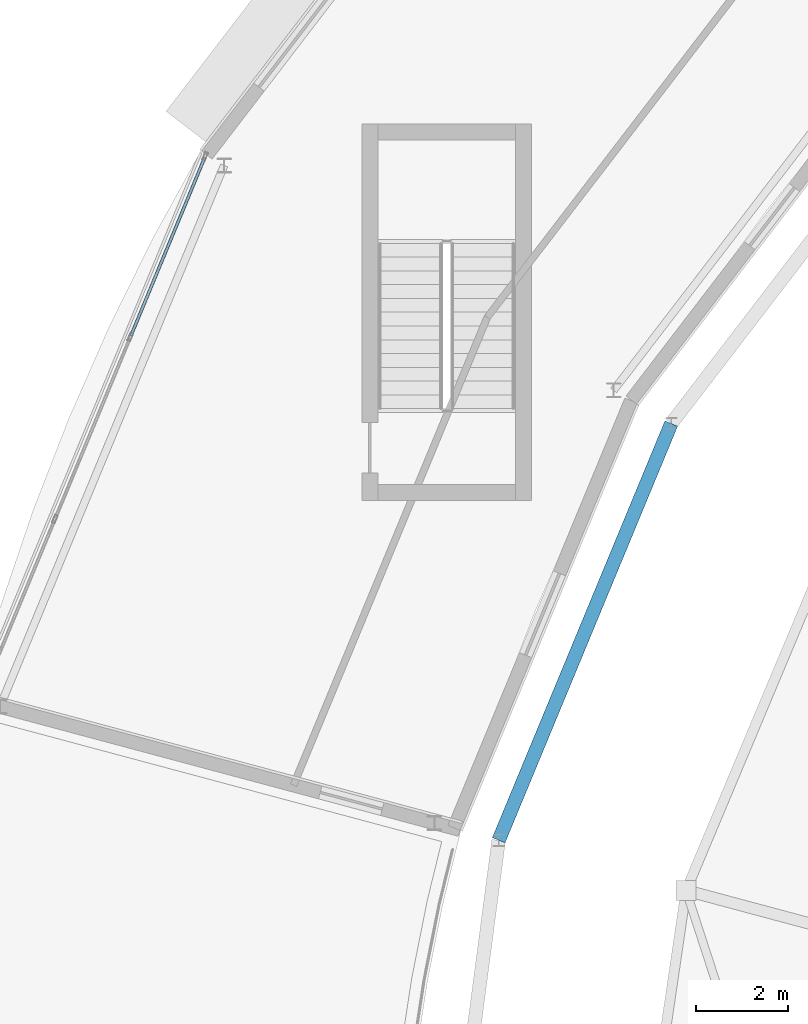
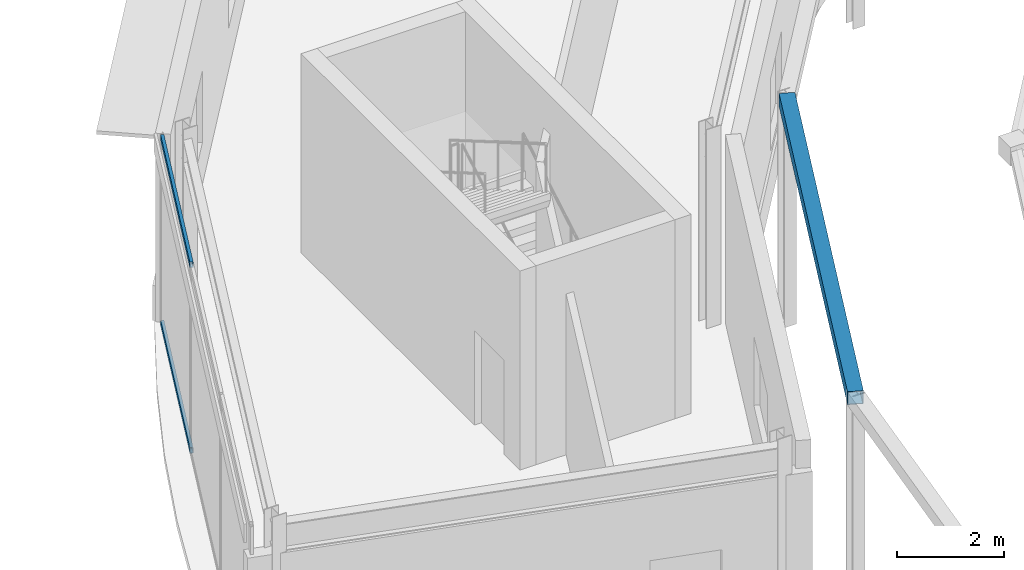
# One storey, part 27 of 89: 2 members, 1 beam, 1 element without a shape of its own.
"""IFC4 building model written with IfcOpenShell, lengths in metres."""

from ifc_helpers import new_model, si_unit, direction, frame, origin, origin_2d, place, context, subcontext, project, spatial, hollow_rectangle, extrude, material, material_profile, profile_set, type_object, element, aggregate, save


model = new_model("IFC4")

# Units and contexts
model_context = context("Model", 3, precision=1e-05, world=origin(), true_north=direction((0.0, 1.0)))
body_context = subcontext(model_context, "Body", "Model", "MODEL_VIEW")
ifc_project = project(units=[si_unit("LENGTHUNIT", "METRE"), si_unit("AREAUNIT", "SQUARE_METRE"), si_unit("VOLUMEUNIT", "CUBIC_METRE"), si_unit("PLANEANGLEUNIT", "RADIAN"), si_unit("MASSUNIT", "GRAM", prefix="KILO")], contexts=[model_context])

# Site, building, storey
site_placement = place(None, origin())
site = spatial("IfcSite", under=ifc_project, at=site_placement, CompositionType="ELEMENT")
building_placement = place(site_placement, origin())
building = spatial("IfcBuilding", under=site, at=building_placement, Name="Almandine Court Research Institute", CompositionType="ELEMENT")
storey_placement = place(building_placement, frame((0.0, 0.0, 18.89990234375)))
storey = spatial("IfcBuildingStorey", under=building, at=storey_placement, Name="L04", CompositionType="ELEMENT", Elevation=18.89990234375)

# Beam
ifc_material_1 = material(Name="Steel ASTM A500 Grade C", Category="steel")
ifc_material_profile_1 = material_profile(ifc_material_1, hollow_rectangle(XDim=0.300048828125, YDim=0.300048828125, WallThickness=0.011962890625, at=origin_2d()), Name="HSS 300x300x12")
ifc_profile_set_1 = profile_set([ifc_material_profile_1], Name="Steel ASTM A500 Grade C")
beam_type = type_object("IfcBeamType", Name="Beam-RB-01-E", PredefinedType="BEAM", material=ifc_profile_set_1)
beam_placement = place(storey_placement, frame((54.39404296875, 74.824951171875, 5.10009765625), z_axis=(-0.382683080424, -0.92387967829, 0.0), x_axis=(0.92387967829, -0.382683080424, 0.0)))
element("IfcBeam", 1, at=beam_placement, inside=storey, type_object=beam_type, Name="Gridshell Outer Ring Beam ORB-11", PredefinedType="BEAM", context=body_context, shape_type="SweptSolid", body=[
    extrude(hollow_rectangle(XDim=0.300048828125, YDim=0.300048828125, WallThickness=0.011962890625, at=origin_2d()), origin(), (0.0, 0.0, 1.0), 9.827880859375),
])

# Curtain wall, members
ifc_material_2 = material(Name="Unitised Curtain Wall Framing and Solar Glazing", Category="glass")
curtain_wall_type = type_object("IfcCurtainWallType", Name="CW-CWJ-21", PredefinedType="USERDEFINED", material=ifc_material_2)
curtain_wall_placement = place(storey_placement, origin())
curtain_wall = element("IfcCurtainWall", 2, at=curtain_wall_placement, inside=storey, type_object=curtain_wall_type, Name="L04 Stacked-Ring Drum Outer Solar Jali Screen 10", ObjectType="SOLAR JALI SCREEN", PredefinedType="USERDEFINED")
ifc_material_3 = material(Name="Anodised Aluminium AW-6063-T6", Category="aluminium")
ifc_material_profile_2 = material_profile(ifc_material_3, hollow_rectangle(XDim=0.06494140625, YDim=0.1298828125, WallThickness=0.00390625, at=origin_2d()), Name="ALU RHS 65x130x4")
ifc_profile_set_2 = profile_set([ifc_material_profile_2], Name="Anodised Aluminium AW-6063-T6")
member_type = type_object("IfcMemberType", Name="CWTrn-65x130", PredefinedType="NOTDEFINED", material=ifc_profile_set_2)
member_1_placement = place(storey_placement, frame((42.620849609375, 76.740966796875, 0.03271484375), z_axis=(0.382631051398, 0.923901227679, 0.0), x_axis=(-0.923901227679, 0.382631051398, 0.0)))
member_1 = element("IfcMember", 3, at=member_1_placement, type_object=member_type, Name="CWJ-21 transom 3.1", ObjectType="TRANSOM", PredefinedType="USERDEFINED", context=body_context, shape_type="SweptSolid", body=[
    extrude(hollow_rectangle(XDim=0.06494140625, YDim=0.1298828125, WallThickness=0.00390625, at=origin_2d()), origin(), (0.0, 0.0, 1.0), 4.1953125),
])
member_2_placement = place(storey_placement, frame((42.620849609375, 76.740966796875, 4.277587890625), z_axis=(0.382631051398, 0.923901227679, 0.0), x_axis=(-0.923901227679, 0.382631051398, 0.0)))
member_2 = element("IfcMember", 4, at=member_2_placement, type_object=member_type, Name="CWJ-21 transom 3.2", ObjectType="TRANSOM", PredefinedType="USERDEFINED", context=body_context, shape_type="SweptSolid", body=[
    extrude(hollow_rectangle(XDim=0.06494140625, YDim=0.1298828125, WallThickness=0.00390625, at=origin_2d()), origin(), (0.0, 0.0, 1.0), 4.1953125),
])
aggregate(curtain_wall, [member_1, member_2])

save(model, "model.ifc")
